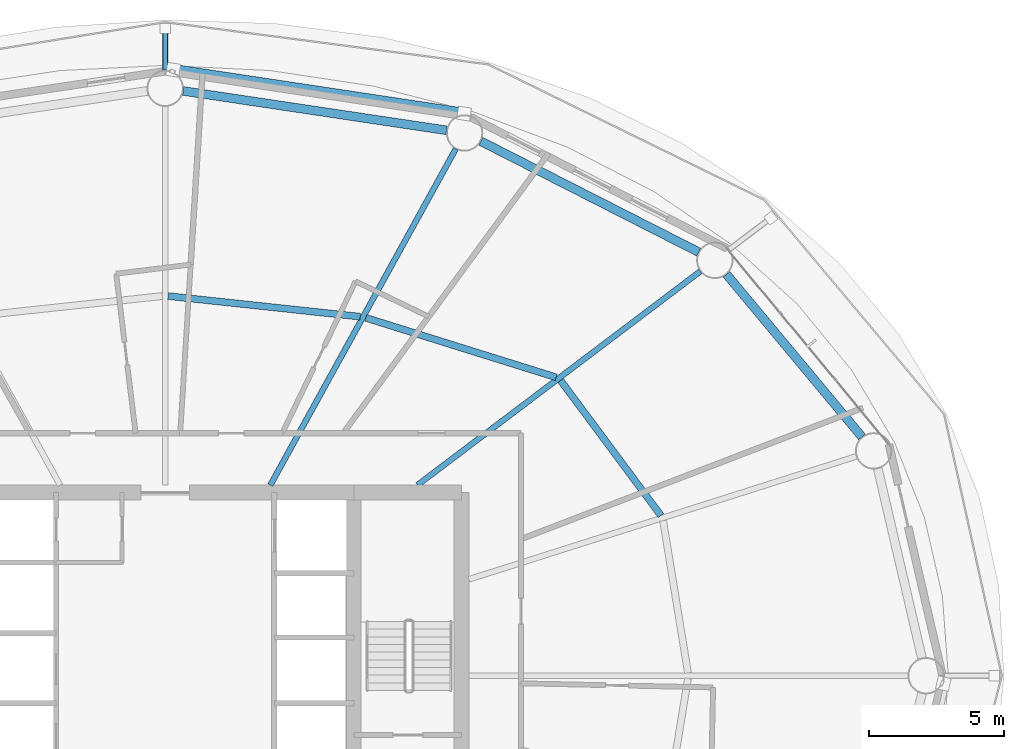
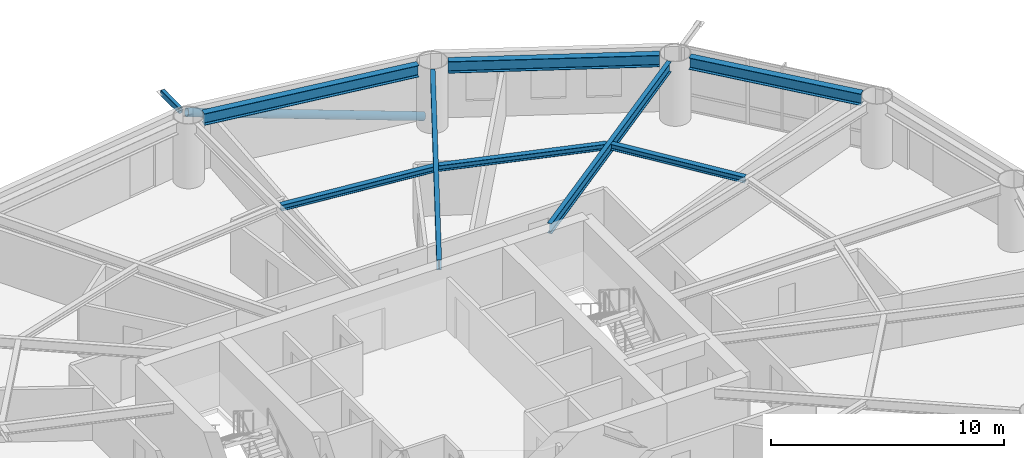
# One storey, part 11 of 24: 8 beams, 2 members.
"""IFC4 building model written with IfcOpenShell, lengths in metres."""

from ifc_helpers import new_model, si_unit, direction, frame, origin, origin_2d, place, context, subcontext, project, spatial, hollow_rectangle, hollow_circle, i_section, extrude, material, material_profile, profile_set, type_object, element, save


model = new_model("IFC4")

# Units and contexts
model_context = context("Model", 3, precision=1e-05, world=origin(), true_north=direction((0.0, 1.0)))
body_context = subcontext(model_context, "Body", "Model", "MODEL_VIEW")
ifc_project = project(units=[si_unit("LENGTHUNIT", "METRE"), si_unit("AREAUNIT", "SQUARE_METRE"), si_unit("VOLUMEUNIT", "CUBIC_METRE"), si_unit("PLANEANGLEUNIT", "RADIAN"), si_unit("MASSUNIT", "GRAM", prefix="KILO")], contexts=[model_context])

# Site, building, storey
site_placement = place(None, origin())
site = spatial("IfcSite", under=ifc_project, at=site_placement, CompositionType="ELEMENT")
building_placement = place(site_placement, origin())
building = spatial("IfcBuilding", under=site, at=building_placement, Name="Sarneth Arch Tower", CompositionType="ELEMENT")
storey_placement = place(building_placement, frame((0.0, 0.0, 127.199951171875)))
storey = spatial("IfcBuildingStorey", under=building, at=storey_placement, Name="L32", CompositionType="ELEMENT", Elevation=127.199951171875)

# Beams
ifc_material_1 = material(Name="Steel S355", Category="steel")
ifc_material_profile_1 = material_profile(ifc_material_1, i_section(OverallWidth=0.25390625, OverallDepth=0.305908203125, WebThickness=0.0087890625, FlangeThickness=0.0146484375, FilletRadius=0.014892578125, at=origin_2d()), Name="W310x79")
ifc_profile_set_1 = profile_set([ifc_material_profile_1], Name="Steel S355")
beam_type_1 = type_object("IfcBeamType", Name="BM-JOIST-310A", PredefinedType="JOIST", material=ifc_profile_set_1)
beam_1_placement = place(storey_placement, frame((66.3984375, 47.942626953125, 3.22705078125), z_axis=(-0.596354224217, 0.80272139579, 0.0), x_axis=(-0.80272139579, -0.596354224217, 0.0)))
element("IfcBeam", 1, at=beam_1_placement, inside=storey, type_object=beam_type_1, Name="L32 Secondary floor joist 02", PredefinedType="JOIST", context=body_context, shape_type="SweptSolid", body=[
    extrude(i_section(OverallWidth=0.25390625, OverallDepth=0.305908203125, WebThickness=0.0087890625, FlangeThickness=0.0146484375, FilletRadius=0.014892578125, at=origin_2d()), origin(), (0.0, 0.0, 1.0), 6.246337890625),
])
beam_2_placement = place(storey_placement, frame((62.509765625, 53.072998046875, 3.22705078125), z_axis=(-0.9544870201, 0.298252457594, 0.0), x_axis=(-0.298252457594, -0.9544870201, 0.0)))
element("IfcBeam", 2, at=beam_2_placement, inside=storey, type_object=beam_type_1, Name="L32 Secondary floor joist 03", PredefinedType="JOIST", context=body_context, shape_type="SweptSolid", body=[
    extrude(i_section(OverallWidth=0.25390625, OverallDepth=0.305908203125, WebThickness=0.0087890625, FlangeThickness=0.0146484375, FilletRadius=0.014892578125, at=origin_2d()), origin(), (0.0, 0.0, 1.0), 7.40234375),
])
beam_3_placement = place(storey_placement, frame((55.238525390625, 55.323486328125, 3.22705078125), z_axis=(-0.99429330851, 0.106680910441, 0.0), x_axis=(-0.106680910441, -0.99429330851, 0.0)))
element("IfcBeam", 3, at=beam_3_placement, inside=storey, type_object=beam_type_1, Name="L32 Secondary floor joist 04", PredefinedType="JOIST", context=body_context, shape_type="SweptSolid", body=[
    extrude(i_section(OverallWidth=0.25390625, OverallDepth=0.305908203125, WebThickness=0.0087890625, FlangeThickness=0.0146484375, FilletRadius=0.014892578125, at=origin_2d()), origin(), (0.0, 0.0, 1.0), 7.174560546875),
])
ifc_material_2 = material(Name="Steel S355", Category="steel")
ifc_material_profile_2 = material_profile(ifc_material_2, i_section(OverallWidth=0.2109375, OverallDepth=0.5390625, WebThickness=0.01171875, FlangeThickness=0.018798828125, FilletRadius=0.01806640625, at=origin_2d()), Name="W530x109")
ifc_profile_set_2 = profile_set([ifc_material_profile_2], Name="Steel S355")
beam_type_2 = type_object("IfcBeamType", Name="BM-RAD-530B", PredefinedType="BEAM", material=ifc_profile_set_2)
beam_4_placement = place(storey_placement, frame((57.36181640625, 49.074951171875, 3.110595703125), z_axis=(0.797801476102, 0.602920230818, 0.0), x_axis=(-0.602920230818, 0.797801476102, 0.0)))
element("IfcBeam", 4, at=beam_4_placement, inside=storey, type_object=beam_type_2, Name="L32 Radial floor girder 03", PredefinedType="BEAM", context=body_context, shape_type="SweptSolid", body=[
    extrude(i_section(OverallWidth=0.2109375, OverallDepth=0.5390625, WebThickness=0.01171875, FlangeThickness=0.018798828125, FilletRadius=0.01806640625, at=origin_2d()), origin(), (0.0, 0.0, 1.0), 13.15771484375),
])
beam_5_placement = place(storey_placement, frame((51.90283203125, 49.074951171875, 3.110595703125), z_axis=(0.48301301286, 0.875613173387, 0.0), x_axis=(-0.875613173387, 0.48301301286, 0.0)))
element("IfcBeam", 5, at=beam_5_placement, inside=storey, type_object=beam_type_2, Name="L32 Radial floor girder 04", PredefinedType="BEAM", context=body_context, shape_type="SweptSolid", body=[
    extrude(i_section(OverallWidth=0.2109375, OverallDepth=0.5390625, WebThickness=0.01171875, FlangeThickness=0.018798828125, FilletRadius=0.01806640625, at=origin_2d()), origin(), (0.0, 0.0, 1.0), 14.246826171875),
])
ifc_material_3 = material(Name="Steel S355", Category="steel")
ifc_material_profile_3 = material_profile(ifc_material_3, i_section(OverallWidth=0.323974609375, OverallDepth=0.611083984375, WebThickness=0.0126953125, FlangeThickness=0.01904296875, FilletRadius=0.01904296875, at=origin_2d()), Name="W610x155")
ifc_profile_set_3 = profile_set([ifc_material_profile_3], Name="Steel S355")
beam_type_3 = type_object("IfcBeamType", Name="BM-SPAN-610B", PredefinedType="SPANDREL", material=ifc_profile_set_3)
beam_6_placement = place(storey_placement, frame((73.859130859375, 50.861083984375, 3.074462890625), z_axis=(-0.640169116175, 0.768234015581, 0.0), x_axis=(-0.768234015581, -0.640169116175, 0.0)))
element("IfcBeam", 6, at=beam_6_placement, inside=storey, type_object=beam_type_3, Name="L32 Perimeter spandrel beam 02", PredefinedType="SPANDREL", context=body_context, shape_type="SweptSolid", body=[
    extrude(i_section(OverallWidth=0.323974609375, OverallDepth=0.611083984375, WebThickness=0.0126953125, FlangeThickness=0.01904296875, FilletRadius=0.01904296875, at=origin_2d()), origin(), (0.0, 0.0, 1.0), 7.856201171875),
])
beam_7_placement = place(storey_placement, frame((67.796142578125, 57.720947265625, 3.074462890625), z_axis=(-0.891255891792, 0.453500755619, 0.0), x_axis=(-0.453500755619, -0.891255891792, 0.0)))
element("IfcBeam", 7, at=beam_7_placement, inside=storey, type_object=beam_type_3, Name="L32 Perimeter spandrel beam 03", PredefinedType="SPANDREL", context=body_context, shape_type="SweptSolid", body=[
    extrude(i_section(OverallWidth=0.323974609375, OverallDepth=0.611083984375, WebThickness=0.0126953125, FlangeThickness=0.01904296875, FilletRadius=0.01904296875, at=origin_2d()), origin(), (0.0, 0.0, 1.0), 9.070556640625),
])
beam_8_placement = place(storey_placement, frame((58.442626953125, 62.240234375, 3.074462890625), z_axis=(-0.989029828744, 0.147715936359, 0.0), x_axis=(-0.147715936359, -0.989029828744, 0.0)))
element("IfcBeam", 8, at=beam_8_placement, inside=storey, type_object=beam_type_3, Name="L32 Perimeter spandrel beam 04", PredefinedType="SPANDREL", context=body_context, shape_type="SweptSolid", body=[
    extrude(i_section(OverallWidth=0.323974609375, OverallDepth=0.611083984375, WebThickness=0.0126953125, FlangeThickness=0.01904296875, FilletRadius=0.01904296875, at=origin_2d()), origin(), (0.0, 0.0, 1.0), 9.883544921875),
])

# Members
ifc_material_4 = material(Name="Steel S355", Category="steel")
ifc_material_profile_4 = material_profile(ifc_material_4, hollow_rectangle(XDim=0.199951171875, YDim=0.300048828125, WallThickness=0.012451171875, InnerFilletRadius=0.018798828125, OuterFilletRadius=0.03125, at=origin_2d()), Name="RHS300x200x12.5")
ifc_profile_set_4 = profile_set([ifc_material_profile_4], Name="Steel S355")
member_type_1 = type_object("IfcMemberType", Name="MEM-CANT-STRUT", PredefinedType="STRUT", material=ifc_profile_set_4)
member_1_placement = place(storey_placement, frame((48.0, 64.47509765625, 3.219970703125), z_axis=(0.0, 1.0, 0.0), x_axis=(-1.0, 0.0, 0.0)))
element("IfcMember", 9, at=member_1_placement, inside=storey, type_object=member_type_1, Name="L32 Balcony cantilever bracket 05", PredefinedType="STRUT", context=body_context, shape_type="SweptSolid", body=[
    extrude(hollow_rectangle(XDim=0.199951171875, YDim=0.300048828125, WallThickness=0.012451171875, InnerFilletRadius=0.018798828125, OuterFilletRadius=0.03125, at=origin_2d()), origin(), (0.0, 0.0, 1.0), 1.546142578125),
])
ifc_material_5 = material(Name="Steel S355", Category="steel")
ifc_material_profile_5 = material_profile(ifc_material_5, hollow_circle(Radius=0.202880859375, WallThickness=0.01611328125, at=origin_2d()), Name="CHS406x16")
ifc_profile_set_5 = profile_set([ifc_material_profile_5], Name="Steel S355")
member_type_2 = type_object("IfcMemberType", Name="MEM-DIAG-BR2", PredefinedType="BRACE", material=ifc_profile_set_5)
member_2_placement = place(storey_placement, frame((59.0927734375, 62.859619140625, 0.02001953125), z_axis=(-0.953656635145, 0.143605968509, 0.264416996529), x_axis=(-0.148905755657, -0.988851392239, 0.0)))
element("IfcMember", 10, at=member_2_placement, inside=storey, type_object=member_type_2, Name="L32 Perimeter frame diagonal 04", PredefinedType="BRACE", context=body_context, shape_type="SweptSolid", body=[
    extrude(hollow_circle(Radius=0.202880859375, WallThickness=0.01611328125, at=origin_2d()), origin(), (0.0, 0.0, 1.0), 11.32080078125),
])

save(model, "model.ifc")
